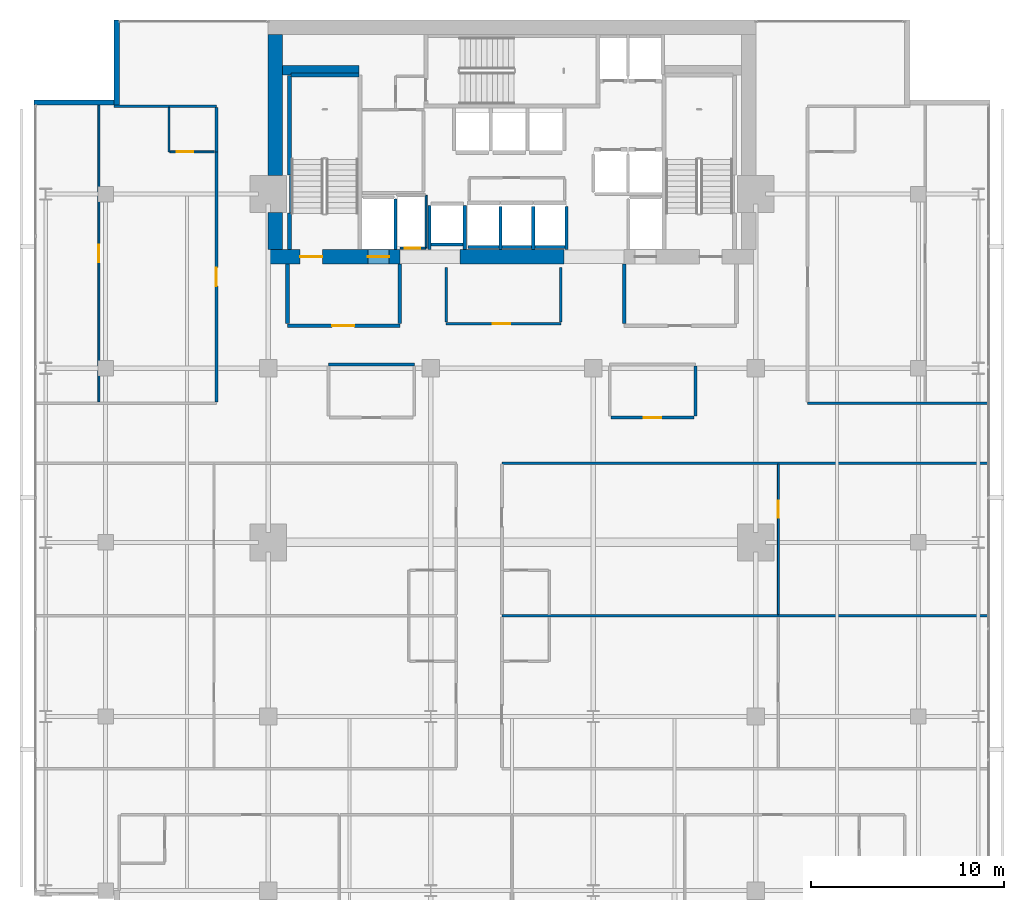
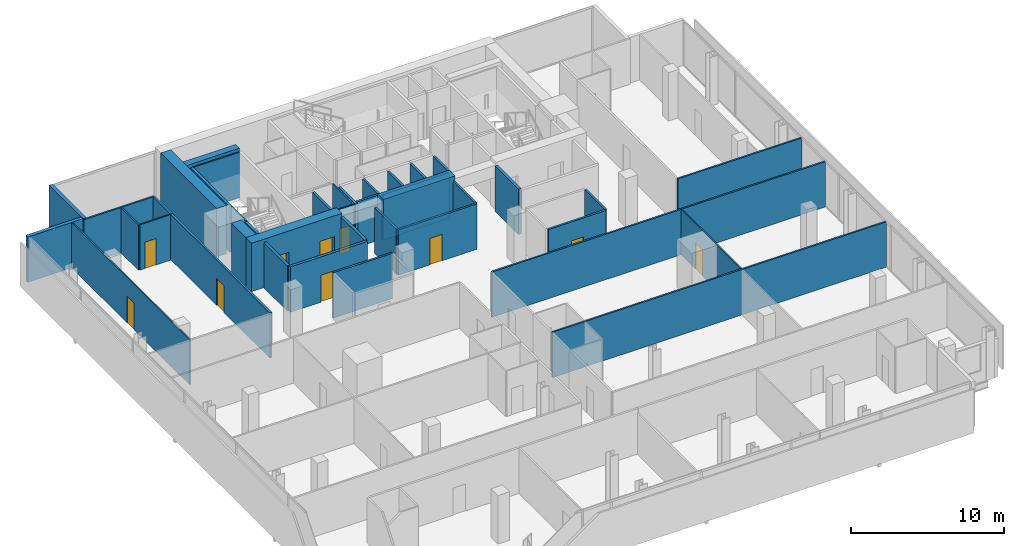
# One storey, part 28 of 32: 41 walls, 10 doors, 10 openings.
"""IFC4 building model written with IfcOpenShell, lengths in metres."""

import ifcopenshell
import ifcopenshell.guid

model = None  # the IFC model being written
_history = None  # IfcOwnerHistory: only IFC2X3 demands one
_inside = {}  # id of a spatial element -> (the spatial element, [elements in it])
_under = {}  # id of a project, library or spatial element -> (it, [spatial elements below it])
_declared = {}  # id of a project -> (the project, [libraries it declares])
_typed = {}  # id of a type object -> (the type object, [elements of that type])
_made_of = {}  # id of a material, layer set ... -> (it, [elements and type objects made of it])


def new_model(schema):
    """Start an empty IFC model of exactly this schema.

    Asked for "IFC4X3", IfcOpenShell would pick the latest addendum, in which some entities
    have other attributes; the version numbers below select the first issue.
    IFC2X3 requires an IfcOwnerHistory on every rooted entity: one is made here for all.
    """
    global model, _history
    if schema == "IFC4X3":
        model = ifcopenshell.file(schema_version=(4, 3, 0, 0))
    else:
        model = ifcopenshell.file(schema=schema)
    _inside.clear()
    _under.clear()
    _declared.clear()
    _typed.clear()
    _made_of.clear()
    _history = None
    if model.schema == "IFC2X3":
        org = make("IfcOrganization", Name="unknown")
        user = make(
            "IfcPersonAndOrganization",
            ThePerson=make("IfcPerson", FamilyName="unknown"),
            TheOrganization=org,
        )
        app = make(
            "IfcApplication",
            ApplicationDeveloper=org,
            Version="unknown",
            ApplicationFullName="unknown",
            ApplicationIdentifier="unknown",
        )
        _history = make(
            "IfcOwnerHistory",
            OwningUser=user,
            OwningApplication=app,
            ChangeAction="ADDED",
            CreationDate=0,
        )
    return model


def make(cls, **values):
    """One entity of the class cls with the attributes given. An attribute that is None is left unset."""
    return model.create_entity(
        cls, **{name: value for name, value in values.items() if value is not None}
    )


def rooted(cls, **values):
    """An entity with a GlobalId (a new one), such as an element, a storey or a relation."""
    return make(cls, GlobalId=ifcopenshell.guid.new(), OwnerHistory=_history, **values)


def si_unit(unit_type, name, prefix=None):
    """IfcSIUnit, for example si_unit("LENGTHUNIT", "METRE", prefix="MILLI")."""
    return make("IfcSIUnit", UnitType=unit_type, Prefix=prefix, Name=name)


def assignment(units):
    """IfcUnitAssignment: the units of a project."""
    return None if units is None else make("IfcUnitAssignment", Units=units)


def point(xyz):
    """IfcCartesianPoint."""
    return None if xyz is None else make("IfcCartesianPoint", Coordinates=xyz)


def direction(xyz):
    """IfcDirection."""
    return None if xyz is None else make("IfcDirection", DirectionRatios=xyz)


def frame(location, z_axis=None, x_axis=None):
    """IfcAxis2Placement3D, a coordinate frame: its origin and axes. An axis left out is left unset."""
    return make(
        "IfcAxis2Placement3D",
        Location=point(location),
        Axis=direction(z_axis),
        RefDirection=direction(x_axis),
    )


def frame_2d(location, x_axis=None):
    """IfcAxis2Placement2D, a coordinate frame in the plane: its origin and x axis."""
    return make(
        "IfcAxis2Placement2D", Location=point(location), RefDirection=direction(x_axis)
    )


def origin():
    """The frame at (0, 0, 0) with its axes left unset."""
    return frame((0.0, 0.0, 0.0))


def place(relative_to, where):
    """IfcLocalPlacement: puts the frame where relative to a parent placement (None: the world)."""
    return make(
        "IfcLocalPlacement", PlacementRelTo=relative_to, RelativePlacement=where
    )


def context(
    kind, dimensions, precision=None, world=None, true_north=None, identifier=None
):
    """IfcGeometricRepresentationContext, for example the 3D "Model" context."""
    return make(
        "IfcGeometricRepresentationContext",
        ContextIdentifier=identifier,
        ContextType=kind,
        CoordinateSpaceDimension=dimensions,
        Precision=precision,
        WorldCoordinateSystem=world,
        TrueNorth=true_north,
    )


def subcontext(parent, identifier, kind, view, scale=None):
    """IfcGeometricRepresentationSubContext, for example "Body" below "Model"."""
    return make(
        "IfcGeometricRepresentationSubContext",
        ContextIdentifier=identifier,
        ContextType=kind,
        ParentContext=parent,
        TargetScale=scale,
        TargetView=view,
    )


def project(units=None, contexts=None):
    """IfcProject with its units and contexts."""
    return rooted(
        "IfcProject",
        Name="project",
        RepresentationContexts=contexts,
        UnitsInContext=assignment(units),
    )


def spatial(cls, under=None, at=None, **own):
    """A site, building, storey or space (cls), placed at a placement, below another one or the project."""
    s = rooted(cls, ObjectPlacement=at, **own)
    if under is not None:
        _under.setdefault(under.id(), (under, []))[1].append(s)
    return s


def profile(cls, at=None, kind="AREA", **sizes):
    """A parametric profile (cls). Its sizes go by their IFC names, for example OverallWidth=200.0."""
    return make(cls, ProfileType=kind, Position=at, **sizes)


def rectangle(**sizes):
    """IfcRectangleProfileDef."""
    return profile("IfcRectangleProfileDef", **sizes)


def extrude(swept, where, along, depth):
    """IfcExtrudedAreaSolid: the profile swept, set in the frame where, extruded along a direction by depth."""
    return make(
        "IfcExtrudedAreaSolid",
        SweptArea=swept,
        Position=where,
        ExtrudedDirection=direction(along),
        Depth=depth,
    )


def shape(context_of_items, identifier, shape_type, items):
    """IfcShapeRepresentation: the items that make up one representation, for example the "Body"."""
    return make(
        "IfcShapeRepresentation",
        ContextOfItems=context_of_items,
        RepresentationIdentifier=identifier,
        RepresentationType=shape_type,
        Items=items,
    )


def material(Name=None, Category=None):
    """IfcMaterial."""
    return make("IfcMaterial", Name=Name, Category=Category)


def layer(
    of_material, thickness, ventilated=None, Name=None, Category=None, Priority=None
):
    """IfcMaterialLayer: one layer of a wall or slab, of a material (None: an air gap)."""
    return make(
        "IfcMaterialLayer",
        Material=of_material,
        LayerThickness=thickness,
        IsVentilated=ventilated,
        Name=Name,
        Category=Category,
        Priority=Priority,
    )


def layer_set(layers, Name=None):
    """IfcMaterialLayerSet."""
    return make("IfcMaterialLayerSet", MaterialLayers=layers, LayerSetName=Name)


def made_of(thing, what):
    """Note that an element or type object is made of a material, layer set ...; save() writes the relation."""
    if what is not None:
        _made_of.setdefault(what.id(), (what, []))[1].append(thing)
    return thing


def type_object(cls, material=None, **own):
    """A type object (cls), such as IfcWallType, which elements share."""
    return made_of(rooted(cls, **own), material)


def element(
    cls,
    number,
    at=None,
    inside=None,
    cuts=None,
    type_object=None,
    material=None,
    context=None,
    identifier="Body",
    shape_type=None,
    held_by="IfcProductDefinitionShape",
    body=None,
    shapes=None,
    **own,
):
    """One element of the class cls, such as IfcWall. Its Tag is "e" and its number.

    at: its placement. inside: the storey or other place that contains it. cuts: it is an
    opening in that element (IfcRelVoidsElement). A single representation is given by context,
    identifier, shape_type and body (its items); several are given by shapes. held_by: the class
    of the entity that holds the representations. save() writes the other relations.
    """
    e = rooted(cls, Tag="e%d" % number, ObjectPlacement=at, **own)
    if body is not None:
        shapes = [shape(context, identifier, shape_type, body)]
    if shapes is not None:
        e.Representation = make(held_by, Representations=shapes)
    if inside is not None:
        _inside.setdefault(inside.id(), (inside, []))[1].append(e)
    if cuts is not None:
        rooted(
            "IfcRelVoidsElement", RelatingBuildingElement=cuts, RelatedOpeningElement=e
        )
    if type_object is not None:
        _typed.setdefault(type_object.id(), (type_object, []))[1].append(e)
    return made_of(e, material)


def fill(opening, filler):
    """IfcRelFillsElement: the door or window that sits in an opening."""
    return rooted(
        "IfcRelFillsElement",
        RelatingOpeningElement=opening,
        RelatedBuildingElement=filler,
    )


def aggregate(whole, parts):
    """IfcRelAggregates: a whole, such as a stair, and the parts it consists of."""
    return rooted("IfcRelAggregates", RelatingObject=whole, RelatedObjects=parts)


def save(model, path):
    """Write the relations noted so far, then the file.

    IfcRelAggregates (storeys below a building ...), IfcRelContainedInSpatialStructure (elements
    in a storey), IfcRelDefinesByType, IfcRelAssociatesMaterial and IfcRelDeclares: one each for
    every whole, place, type object, material and project.
    """
    for whole, parts in _under.values():
        aggregate(whole, parts)
    for where, things in _inside.values():
        rooted(
            "IfcRelContainedInSpatialStructure",
            RelatedElements=things,
            RelatingStructure=where,
        )
    for kind, things in _typed.values():
        rooted("IfcRelDefinesByType", RelatedObjects=things, RelatingType=kind)
    for what, things in _made_of.values():
        rooted("IfcRelAssociatesMaterial", RelatedObjects=things, RelatingMaterial=what)
    for by, libraries in _declared.values():
        rooted("IfcRelDeclares", RelatingContext=by, RelatedDefinitions=libraries)
    model.write(path)


model = new_model("IFC4")

# Units and contexts
model_context = context("Model", 3, precision=1e-05, world=origin(), true_north=direction((0.0, 1.0)))
body_context = subcontext(model_context, "Body", "Model", "MODEL_VIEW")
ifc_project = project(units=[si_unit("LENGTHUNIT", "METRE"), si_unit("AREAUNIT", "SQUARE_METRE"), si_unit("VOLUMEUNIT", "CUBIC_METRE"), si_unit("PLANEANGLEUNIT", "RADIAN"), si_unit("MASSUNIT", "GRAM", prefix="KILO")], contexts=[model_context])

# Site, building, storey
site_placement = place(None, origin())
site = spatial("IfcSite", under=ifc_project, at=site_placement, CompositionType="ELEMENT")
building_placement = place(site_placement, origin())
building = spatial("IfcBuilding", under=site, at=building_placement, Name="Maruvema Waterfront Hotel and Observation Tower", CompositionType="ELEMENT")
storey_placement = place(building_placement, frame((0.0, 0.0, 219.800048828125)))
storey = spatial("IfcBuildingStorey", under=building, at=storey_placement, Name="L54", CompositionType="ELEMENT", Elevation=219.800048828125)

# Wall, opening, door
ifc_material_1 = material(Name="Twin-stud acoustic gypsum drywall", Category="gypsum")
ifc_layer_1 = layer(ifc_material_1, 0.14990234375, Name="Acoustic Corridor and Suite Demising Wall 150 mm")
ifc_layer_set_1 = layer_set([ifc_layer_1], Name="Twin-stud acoustic gypsum drywall")
wall_type_1 = type_object("IfcWallType", Name="Acoustic Corridor and Suite Demising Wall 150 mm", PredefinedType="PARTITIONING", material=ifc_layer_set_1)
wall_1_placement = place(storey_placement, frame((34.39990234375, 38.300048828125, 0.0), z_axis=(0.0, 0.0, 1.0), x_axis=(1.0, 0.0, 0.0)))
wall_1 = element("IfcWall", 1, at=wall_1_placement, inside=storey, type_object=wall_type_1, Name="L54 Core Apron K0 South 018", PredefinedType="PARTITIONING", context=body_context, shape_type="SweptSolid", body=[
    extrude(rectangle(XDim=5.920166015625, YDim=0.14990234375, at=frame_2d((2.9599609375, 0.0))), origin(), (0.0, 0.0, 1.0), 3.60986328125),
])
opening_1_placement = place(wall_1_placement, frame((2.39990234375, 0.0, 0.0)))
opening_1 = element("IfcOpeningElement", 2, at=opening_1_placement, cuts=wall_1, Name="Opening DR-090", PredefinedType="OPENING", context=body_context, shape_type="SweptSolid", body=[
    extrude(rectangle(XDim=0.89990234375, YDim=2.10009765625, at=frame_2d((0.449951171875, 1.050048828125))), frame((0.0, 0.0849609375, 0.0), z_axis=(0.0, -1.0, 0.0), x_axis=(1.0, 0.0, 0.0)), (0.0, 0.0, 1.0), 0.169921875),
])
ifc_material_2 = material(Name="Solid-core lacquered timber leaf", Category="wood")
door_type_1 = type_object("IfcDoorType", Name="Accessible Toilet and Room Door 900x2100 mm", OperationType="NOTDEFINED", PredefinedType="DOOR", material=ifc_material_2)
door_1_placement = place(opening_1_placement, frame((0.89990234375, 0.0, 0.0), z_axis=(0.0, 0.0, 1.0), x_axis=(-1.0, 0.0, 0.0)))
door_1 = element("IfcDoor", 3, at=door_1_placement, inside=storey, type_object=door_type_1, Name="L54 Core Valet Room Door", OperationType="SINGLE_SWING_LEFT", OverallHeight=2.10009765625, OverallWidth=0.89990234375, PredefinedType="DOOR", context=body_context, shape_type="SweptSolid", body=[
    extrude(rectangle(XDim=0.89990234375, YDim=2.10009765625, at=frame_2d((0.449951171875, 1.050048828125))), frame((0.0, 0.02490234375, 0.0), z_axis=(0.0, -1.0, 0.0), x_axis=(1.0, 0.0, 0.0)), (0.0, 0.0, 1.0), 0.050048828125),
])
fill(opening_1, door_1)

# Walls
for number, where, z_axis, x_axis, name in (
    (4, (34.39990234375, 38.3798828125, 0.0), (0.0, 0.0, 1.0), (0.0, 1.0, 0.0), "L54 Core Apron K0 West 019"),
    (5, (40.320068359375, 38.3798828125, 0.0), (0.0, 0.0, 1.0), (0.0, 1.0, 0.0), "L54 Core Apron K0 East 020"),
):
    element("IfcWall", number, at=place(storey_placement, frame(where, z_axis=z_axis, x_axis=x_axis)), inside=storey, type_object=wall_type_1, Name=name, PredefinedType="PARTITIONING", context=body_context, shape_type="SweptSolid", body=[
        extrude(rectangle(XDim=2.840087890625, YDim=0.14990234375, at=frame_2d((1.419921875, 0.0))), origin(), (0.0, 0.0, 1.0), 3.60986328125),
    ])
wall_2_placement = place(storey_placement, frame((28.320068359375, 36.199951171875, 0.0), z_axis=(0.0, 0.0, 1.0), x_axis=(1.0, 0.0, 0.0)))
element("IfcWall", 6, at=wall_2_placement, inside=storey, type_object=wall_type_1, Name="L54 L54-M1 Back Wall 021", PredefinedType="PARTITIONING", context=body_context, shape_type="SweptSolid", body=[
    extrude(rectangle(XDim=4.429931640625, YDim=0.14990234375, at=frame_2d((2.21484375, 0.0))), origin(), (0.0, 0.0, 1.0), 3.60986328125),
])
wall_3_placement = place(storey_placement, frame((47.280029296875, 33.530029296875, 0.0), z_axis=(0.0, 0.0, 1.0), x_axis=(0.0, 1.0, 0.0)))
element("IfcWall", 7, at=wall_3_placement, inside=storey, type_object=wall_type_1, Name="L54 L54-M2 East Wall 027", PredefinedType="PARTITIONING", context=body_context, shape_type="SweptSolid", body=[
    extrude(rectangle(XDim=2.590087890625, YDim=0.14990234375, at=frame_2d((1.294921875, 0.0))), origin(), (0.0, 0.0, 1.0), 3.60986328125),
])

# Wall, opening, door
wall_4_placement = place(storey_placement, frame((42.909912109375, 33.449951171875, 0.0), z_axis=(0.0, 0.0, 1.0), x_axis=(1.0, 0.0, 0.0)))
wall_4 = element("IfcWall", 8, at=wall_4_placement, inside=storey, type_object=wall_type_1, Name="L54 L54-M2 Front 1 028", PredefinedType="PARTITIONING", context=body_context, shape_type="SweptSolid", body=[
    extrude(rectangle(XDim=4.31005859375, YDim=0.14990234375, at=frame_2d((2.155029296875, 0.0))), origin(), (0.0, 0.0, 1.0), 3.60986328125),
])
opening_2_placement = place(wall_4_placement, frame((1.705078125, 0.0, 0.0)))
opening_2 = element("IfcOpeningElement", 9, at=opening_2_placement, cuts=wall_4, Name="Opening DR-090", PredefinedType="OPENING", context=body_context, shape_type="SweptSolid", body=[
    extrude(rectangle(XDim=0.89990234375, YDim=2.10009765625, at=frame_2d((0.449951171875, 1.050048828125))), frame((0.0, 0.0849609375, 0.0), z_axis=(0.0, -1.0, 0.0), x_axis=(1.0, 0.0, 0.0)), (0.0, 0.0, 1.0), 0.169921875),
])
door_2_placement = place(opening_2_placement, frame((0.89990234375, 0.0, 0.0), z_axis=(0.0, 0.0, 1.0), x_axis=(-1.0, 0.0, 0.0)))
door_2 = element("IfcDoor", 10, at=door_2_placement, inside=storey, type_object=door_type_1, Name="L54 Ambassador Lounge 3 Door", OperationType="SINGLE_SWING_LEFT", OverallHeight=2.10009765625, OverallWidth=0.89990234375, PredefinedType="DOOR", context=body_context, shape_type="SweptSolid", body=[
    extrude(rectangle(XDim=0.89990234375, YDim=2.10009765625, at=frame_2d((0.449951171875, 1.050048828125))), frame((0.0, 0.02490234375, 0.0), z_axis=(0.0, -1.0, 0.0), x_axis=(1.0, 0.0, 0.0)), (0.0, 0.0, 1.0), 0.050048828125),
])
fill(opening_2, door_2)

wall_5_placement = place(storey_placement, frame((22.52001953125, 34.260009765625, 0.0), z_axis=(0.0, 0.0, 1.0), x_axis=(0.0, 1.0, 0.0)))
wall_5 = element("IfcWall", 11, at=wall_5_placement, inside=storey, type_object=wall_type_1, Name="L54 Room L54-NW1 Corridor Wall 074", PredefinedType="PARTITIONING", context=body_context, shape_type="SweptSolid", body=[
    extrude(rectangle(XDim=12.927490234375, YDim=0.14990234375, at=frame_2d((6.4638671875, 0.0))), origin(), (0.0, 0.0, 1.0), 3.60986328125),
])
opening_3_placement = place(wall_5_placement, frame((5.98876953125, 0.0, 0.0)))
opening_3 = element("IfcOpeningElement", 12, at=opening_3_placement, cuts=wall_5, Name="Opening DR-095", PredefinedType="OPENING", context=body_context, shape_type="SweptSolid", body=[
    extrude(rectangle(XDim=0.949951171875, YDim=2.14990234375, at=frame_2d((0.47509765625, 1.074951171875))), frame((0.0, 0.0849609375, 0.0), z_axis=(0.0, -1.0, 0.0), x_axis=(1.0, 0.0, 0.0)), (0.0, 0.0, 1.0), 0.169921875),
])
ifc_material_3 = material(Name="Acoustic solid-core hardwood timber leaf", Category="wood")
door_type_2 = type_object("IfcDoorType", Name="Guestroom Entrance Fire Door 950x2150 mm", OperationType="NOTDEFINED", PredefinedType="DOOR", material=ifc_material_3)
door_3_placement = place(opening_3_placement, origin())
door_3 = element("IfcDoor", 13, at=door_3_placement, inside=storey, type_object=door_type_2, Name="L54 Room L54-NW1 Entrance Door", OperationType="SINGLE_SWING_LEFT", OverallHeight=2.14990234375, OverallWidth=0.949951171875, PredefinedType="DOOR", context=body_context, shape_type="SweptSolid", body=[
    extrude(rectangle(XDim=0.949951171875, YDim=2.14990234375, at=frame_2d((0.47509765625, 1.074951171875))), frame((0.0, 0.02490234375, 0.0), z_axis=(0.0, -1.0, 0.0), x_axis=(1.0, 0.0, 0.0)), (0.0, 0.0, 1.0), 0.050048828125),
])
fill(opening_3, door_3)

# Walls
wall_6_placement = place(storey_placement, frame((22.52001953125, 47.1875, 0.0), z_axis=(0.0, 0.0, 1.0), x_axis=(0.0, 1.0, 0.0)))
element("IfcWall", 14, at=wall_6_placement, inside=storey, type_object=wall_type_1, Name="L54 Bath L54-NW1 Wall 075", PredefinedType="PARTITIONING", context=body_context, shape_type="SweptSolid", body=[
    extrude(rectangle(XDim=2.2900390625, YDim=0.14990234375, at=frame_2d((1.14501953125, 0.0))), origin(), (0.0, 0.0, 1.0), 3.60986328125),
])
ifc_material_4 = material(Name="Precast concrete C45/55", Category="concrete")
ifc_layer_2 = layer(ifc_material_4, 0.199951171875, Name="Core Shaft and Stairwell Enclosure Wall 200 mm")
ifc_layer_set_2 = layer_set([ifc_layer_2], Name="Precast concrete C45/55")
wall_type_2 = type_object("IfcWallType", Name="Core Shaft and Stairwell Enclosure Wall 200 mm", PredefinedType="SOLIDWALL", material=ifc_layer_set_2)
wall_7_placement = place(storey_placement, frame((26.300048828125, 42.14990234375, 0.0), z_axis=(0.0, 0.0, 1.0), x_axis=(0.0, 1.0, 0.0)))
element("IfcWall", 15, at=wall_7_placement, inside=storey, type_object=wall_type_2, Name="L54 Stairwell ST-01 Shaft Lining Wall", PredefinedType="SOLIDWALL", context=body_context, shape_type="SweptSolid", body=[
    extrude(rectangle(XDim=1.8701171875, YDim=0.199951171875, at=frame_2d((0.93505859375, 0.0))), origin(), (0.0, 0.0, 1.0), 3.60986328125),
])
wall_8_placement = place(storey_placement, frame((26.300048828125, 45.97998046875, 0.0), z_axis=(0.0, 0.0, 1.0), x_axis=(0.0, 1.0, 0.0)))
element("IfcWall", 16, at=wall_8_placement, inside=storey, type_object=wall_type_2, Name="L54 Stairwell ST-01 Shaft Lining Wall", PredefinedType="SOLIDWALL", context=body_context, shape_type="SweptSolid", body=[
    extrude(rectangle(XDim=5.14013671875, YDim=0.199951171875, at=frame_2d((2.570068359375, 0.0))), origin(), (0.0, 0.0, 1.0), 3.60986328125),
])
wall_9_placement = place(storey_placement, frame((26.3798828125, 51.14990234375, 0.0), z_axis=(0.0, 0.0, 1.0), x_axis=(1.0, 0.0, 0.0)))
element("IfcWall", 17, at=wall_9_placement, inside=storey, type_object=wall_type_2, Name="L54 Stairwell ST-01 Shaft Lining Wall", PredefinedType="SOLIDWALL", context=body_context, shape_type="SweptSolid", body=[
    extrude(rectangle(XDim=3.5, YDim=0.199951171875, at=frame_2d((1.75, 0.0))), origin(), (0.0, 0.0, 1.0), 3.60986328125),
])
ifc_material_5 = material(Name="Concrete C70/85", Category="concrete")
ifc_layer_3 = layer(ifc_material_5, 0.5, Name="Core Shear Wall 500 mm")
ifc_layer_set_3 = layer_set([ifc_layer_3], Name="Concrete C70/85")
wall_type_3 = type_object("IfcWallType", Name="Core Shear Wall 500 mm", PredefinedType="SHEAR", material=ifc_layer_set_3)
wall_10_placement = place(storey_placement, frame((25.949951171875, 51.39990234375, 0.0), z_axis=(0.0, 0.0, 1.0), x_axis=(1.0, 0.0, 0.0)))
element("IfcWall", 18, at=wall_10_placement, inside=storey, type_object=wall_type_3, Name="L54 Internal Core Shear Wall NW 500 mm", PredefinedType="SHEAR", context=body_context, shape_type="SweptSolid", body=[
    extrude(rectangle(XDim=3.949951171875, YDim=0.5, at=frame_2d((1.97509765625, 0.0))), origin(), (0.0, 0.0, 1.0), 3.849853515625),
])

# Wall, openings, doors
ifc_material_6 = material(Name="Concrete C70/85", Category="concrete")
ifc_layer_4 = layer(ifc_material_6, 0.75, Name="Core Shear Wall 750 mm")
ifc_layer_set_4 = layer_set([ifc_layer_4], Name="Concrete C70/85")
wall_type_4 = type_object("IfcWallType", Name="Core Shear Wall 750 mm", PredefinedType="SHEAR", material=ifc_layer_set_4)
wall_11_placement = place(storey_placement, frame((25.199951171875, 41.77490234375, 0.0), z_axis=(0.0, 0.0, 1.0), x_axis=(1.0, 0.0, 0.0)))
wall_11 = element("IfcWall", 19, at=wall_11_placement, inside=storey, type_object=wall_type_4, Name="L54 South-West Core Shear Wall", PredefinedType="SHEAR", context=body_context, shape_type="SweptSolid", body=[
    extrude(rectangle(XDim=6.800048828125, YDim=0.75, at=frame_2d((3.39990234375, 0.0))), origin(), (0.0, 0.0, 1.0), 3.849853515625),
])
opening_4_placement = place(wall_11_placement, frame((1.64990234375, 0.0, 0.0)))
opening_4 = element("IfcOpeningElement", 20, at=opening_4_placement, cuts=wall_11, Name="Opening SD-01", PredefinedType="OPENING", context=body_context, shape_type="SweptSolid", body=[
    extrude(rectangle(XDim=1.14990234375, YDim=2.14990234375, at=frame_2d((0.574951171875, 1.074951171875))), frame((0.0, 0.385009765625, 0.0), z_axis=(0.0, -1.0, 0.0), x_axis=(1.0, 0.0, 0.0)), (0.0, 0.0, 1.0), 0.77001953125),
])
opening_5_placement = place(wall_11_placement, frame((5.14990234375, 0.0, 0.0)))
opening_5 = element("IfcOpeningElement", 21, at=opening_5_placement, cuts=wall_11, Name="Opening LD-03", PredefinedType="OPENING", context=body_context, shape_type="SweptSolid", body=[
    extrude(rectangle(XDim=1.10009765625, YDim=2.199951171875, at=frame_2d((0.550048828125, 1.10009765625))), frame((0.0, 0.385009765625, 0.0), z_axis=(0.0, -1.0, 0.0), x_axis=(1.0, 0.0, 0.0)), (0.0, 0.0, 1.0), 0.77001953125),
])
ifc_material_7 = material(Name="Fire-rated galvanised steel leaf", Category="steel")
door_type_3 = type_object("IfcDoorType", Name="Exit Stair Fire Door 1150x2150 mm", OperationType="NOTDEFINED", PredefinedType="DOOR", material=ifc_material_7)
door_4_placement = place(opening_4_placement, origin())
door_4 = element("IfcDoor", 22, at=door_4_placement, inside=storey, type_object=door_type_3, Name="L54 Exit Stair ST-01 Fire Door", OperationType="SINGLE_SWING_LEFT", OverallHeight=2.14990234375, OverallWidth=1.14990234375, PredefinedType="DOOR", context=body_context, shape_type="SweptSolid", body=[
    extrude(rectangle(XDim=1.14990234375, YDim=2.14990234375, at=frame_2d((0.574951171875, 1.074951171875))), frame((0.0, 0.02490234375, 0.0), z_axis=(0.0, -1.0, 0.0), x_axis=(1.0, 0.0, 0.0)), (0.0, 0.0, 1.0), 0.050048828125),
])
fill(opening_4, door_4)
ifc_material_8 = material(Name="Brushed stainless steel Grade 316", Category="steel")
door_type_4 = type_object("IfcDoorType", Name="Firefighting Lift Sliding Landing Door 1100x2200 mm", OperationType="SLIDING_TO_LEFT", PredefinedType="DOOR", material=ifc_material_8)
door_5_placement = place(opening_5_placement, frame((1.10009765625, 0.0, 0.0), z_axis=(0.0, 0.0, 1.0), x_axis=(-1.0, 0.0, 0.0)))
door_5 = element("IfcDoor", 23, at=door_5_placement, inside=storey, type_object=door_type_4, Name="L54 Firefighting Lift FL-01 Landing Door", OperationType="SLIDING_TO_LEFT", OverallHeight=2.199951171875, OverallWidth=1.10009765625, PredefinedType="DOOR", context=body_context, shape_type="SweptSolid", body=[
    extrude(rectangle(XDim=1.10009765625, YDim=2.199951171875, at=frame_2d((0.550048828125, 1.10009765625))), frame((0.0, 0.02490234375, 0.0), z_axis=(0.0, -1.0, 0.0), x_axis=(1.0, 0.0, 0.0)), (0.0, 0.0, 1.0), 0.050048828125),
])
fill(opening_5, door_5)

# Walls
wall_12_placement = place(storey_placement, frame((35.10009765625, 41.77490234375, 0.0), z_axis=(0.0, 0.0, 1.0), x_axis=(1.0, 0.0, 0.0)))
element("IfcWall", 24, at=wall_12_placement, inside=storey, type_object=wall_type_4, Name="L54 South-Central Core Shear Wall", PredefinedType="SHEAR", context=body_context, shape_type="SweptSolid", body=[
    extrude(rectangle(XDim=5.39990234375, YDim=0.75, at=frame_2d((2.699951171875, 0.0))), origin(), (0.0, 0.0, 1.0), 3.849853515625),
])
wall_13_placement = place(storey_placement, frame((25.574951171875, 42.14990234375, 0.0), z_axis=(0.0, 0.0, 1.0), x_axis=(0.0, 1.0, 0.0)))
element("IfcWall", 25, at=wall_13_placement, inside=storey, type_object=wall_type_4, Name="L54 West-South Core Shear Wall", PredefinedType="SHEAR", context=body_context, shape_type="SweptSolid", body=[
    extrude(rectangle(XDim=1.900146484375, YDim=0.75, at=frame_2d((0.9501953125, 0.0))), origin(), (0.0, 0.0, 1.0), 3.849853515625),
])
wall_14_placement = place(storey_placement, frame((25.574951171875, 45.949951171875, 0.0), z_axis=(0.0, 0.0, 1.0), x_axis=(0.0, 1.0, 0.0)))
element("IfcWall", 26, at=wall_14_placement, inside=storey, type_object=wall_type_4, Name="L54 West-North Core Shear Wall", PredefinedType="SHEAR", context=body_context, shape_type="SweptSolid", body=[
    extrude(rectangle(XDim=7.300048828125, YDim=0.75, at=frame_2d((3.64990234375, 0.0))), origin(), (0.0, 0.0, 1.0), 3.849853515625),
])

# Wall, opening, door
ifc_material_9 = material(Name="Moisture-resistant cement-board drywall", Category="gypsum")
ifc_layer_5 = layer(ifc_material_9, 0.10009765625, Name="En-Suite Moisture-Resistant Partition 100 mm")
ifc_layer_set_5 = layer_set([ifc_layer_5], Name="Moisture-resistant cement-board drywall")
wall_type_5 = type_object("IfcWallType", Name="En-Suite Moisture-Resistant Partition 100 mm", PredefinedType="PARTITIONING", material=ifc_layer_set_5)
wall_15_placement = place(storey_placement, frame((32.02001953125, 42.2099609375, 0.0), z_axis=(0.0, 0.0, 1.0), x_axis=(1.0, 0.0, 0.0)))
wall_15 = element("IfcWall", 27, at=wall_15_placement, inside=storey, type_object=wall_type_5, Name="L54 Telecom Riser South Wall 007", PredefinedType="PARTITIONING", context=body_context, shape_type="SweptSolid", body=[
    extrude(rectangle(XDim=1.320068359375, YDim=0.10009765625, at=frame_2d((0.66015625, 0.0))), origin(), (0.0, 0.0, 1.0), 3.60986328125),
])
opening_6_placement = place(wall_15_placement, frame((0.239990234375, 0.0, 0.0)))
opening_6 = element("IfcOpeningElement", 28, at=opening_6_placement, cuts=wall_15, Name="Opening DR-080", PredefinedType="OPENING", context=body_context, shape_type="SweptSolid", body=[
    extrude(rectangle(XDim=0.800048828125, YDim=2.050048828125, at=frame_2d((0.39990234375, 1.02490234375))), frame((0.0, 0.06005859375, 0.0), z_axis=(0.0, -1.0, 0.0), x_axis=(1.0, 0.0, 0.0)), (0.0, 0.0, 1.0), 0.1201171875),
])
ifc_material_10 = material(Name="Powder-coated steel access leaf", Category="steel")
door_type_5 = type_object("IfcDoorType", Name="Riser and Service Cupboard Door 800x2050 mm", OperationType="NOTDEFINED", PredefinedType="DOOR", material=ifc_material_10)
door_6_placement = place(opening_6_placement, frame((0.800048828125, 0.0, 0.0), z_axis=(0.0, 0.0, 1.0), x_axis=(-1.0, 0.0, 0.0)))
door_6 = element("IfcDoor", 29, at=door_6_placement, inside=storey, type_object=door_type_5, Name="L54 Telecom Riser Door", OperationType="SINGLE_SWING_LEFT", OverallHeight=2.050048828125, OverallWidth=0.800048828125, PredefinedType="DOOR", context=body_context, shape_type="SweptSolid", body=[
    extrude(rectangle(XDim=0.800048828125, YDim=2.050048828125, at=frame_2d((0.39990234375, 1.02490234375))), frame((0.0, 0.02490234375, 0.0), z_axis=(0.0, -1.0, 0.0), x_axis=(1.0, 0.0, 0.0)), (0.0, 0.0, 1.0), 0.050048828125),
])
fill(opening_6, door_6)

# Wall
wall_16_placement = place(storey_placement, frame((33.360107421875, 42.2099609375, 0.0), z_axis=(0.0, 0.0, 1.0), x_axis=(0.0, 1.0, 0.0)))
element("IfcWall", 30, at=wall_16_placement, inside=storey, type_object=wall_type_5, Name="L54 Telecom Riser East Wall 009", PredefinedType="PARTITIONING", context=body_context, shape_type="SweptSolid", body=[
    extrude(rectangle(XDim=2.72998046875, YDim=0.10009765625, at=frame_2d((1.364990234375, 0.0))), origin(), (0.0, 0.0, 1.0), 3.60986328125),
])

# Wall, opening, door
wall_17_placement = place(storey_placement, frame((51.5703125, 23.260009765625, 0.0), z_axis=(0.0, 0.0, 1.0), x_axis=(0.0, 1.0, 0.0)))
wall_17 = element("IfcWall", 31, at=wall_17_placement, inside=storey, type_object=wall_type_5, Name="L54 Suite L54-E2 Split 069", PredefinedType="PARTITIONING", context=body_context, shape_type="SweptSolid", body=[
    extrude(rectangle(XDim=7.780029296875, YDim=0.10009765625, at=frame_2d((3.89013671875, 0.0))), origin(), (0.0, 0.0, 1.0), 3.60986328125),
])
opening_7_placement = place(wall_17_placement, frame((5.0, 0.0, 0.0)))
opening_7 = element("IfcOpeningElement", 32, at=opening_7_placement, cuts=wall_17, Name="Opening DR-090", PredefinedType="OPENING", context=body_context, shape_type="SweptSolid", body=[
    extrude(rectangle(XDim=0.89990234375, YDim=2.10009765625, at=frame_2d((0.449951171875, 1.050048828125))), frame((0.0, 0.06005859375, 0.0), z_axis=(0.0, -1.0, 0.0), x_axis=(1.0, 0.0, 0.0)), (0.0, 0.0, 1.0), 0.1201171875),
])
door_7_placement = place(opening_7_placement, frame((0.89990234375, 0.0, 0.0), z_axis=(0.0, 0.0, 1.0), x_axis=(-1.0, 0.0, 0.0)))
door_7 = element("IfcDoor", 33, at=door_7_placement, inside=storey, type_object=door_type_1, Name="L54 Suite L54-E2 Bedroom Door", OperationType="SINGLE_SWING_LEFT", OverallHeight=2.10009765625, OverallWidth=0.89990234375, PredefinedType="DOOR", context=body_context, shape_type="SweptSolid", body=[
    extrude(rectangle(XDim=0.89990234375, YDim=2.10009765625, at=frame_2d((0.449951171875, 1.050048828125))), frame((0.0, 0.02490234375, 0.0), z_axis=(0.0, -1.0, 0.0), x_axis=(1.0, 0.0, 0.0)), (0.0, 0.0, 1.0), 0.050048828125),
])
fill(opening_7, door_7)

# Wall
wall_18_placement = place(storey_placement, frame((20.070068359375, 47.1875, 0.0), z_axis=(0.0, 0.0, 1.0), x_axis=(0.0, 1.0, 0.0)))
element("IfcWall", 34, at=wall_18_placement, inside=storey, type_object=wall_type_5, Name="L54 En-Suite L54-NW1 W 076", PredefinedType="PARTITIONING", context=body_context, shape_type="SweptSolid", body=[
    extrude(rectangle(XDim=2.2900390625, YDim=0.10009765625, at=frame_2d((1.14501953125, 0.0))), origin(), (0.0, 0.0, 1.0), 3.60986328125),
])

# Wall, opening, door
wall_19_placement = place(storey_placement, frame((20.1201171875, 47.1875, 0.0), z_axis=(0.0, 0.0, 1.0), x_axis=(1.0, 0.0, 0.0)))
wall_19 = element("IfcWall", 35, at=wall_19_placement, inside=storey, type_object=wall_type_5, Name="L54 En-Suite L54-NW1 S 077", PredefinedType="PARTITIONING", context=body_context, shape_type="SweptSolid", body=[
    extrude(rectangle(XDim=2.2998046875, YDim=0.10009765625, at=frame_2d((1.14990234375, 0.0))), origin(), (0.0, 0.0, 1.0), 3.60986328125),
])
opening_8_placement = place(wall_19_placement, frame((0.35009765625, 0.0, 0.0)))
opening_8 = element("IfcOpeningElement", 36, at=opening_8_placement, cuts=wall_19, Name="Opening DR-085", PredefinedType="OPENING", context=body_context, shape_type="SweptSolid", body=[
    extrude(rectangle(XDim=0.85009765625, YDim=2.10009765625, at=frame_2d((0.425048828125, 1.050048828125))), frame((0.0, 0.06005859375, 0.0), z_axis=(0.0, -1.0, 0.0), x_axis=(1.0, 0.0, 0.0)), (0.0, 0.0, 1.0), 0.1201171875),
])
ifc_material_11 = material(Name="Moisture-resistant solid timber leaf", Category="wood")
door_type_6 = type_object("IfcDoorType", Name="En-Suite Bathroom Door 850x2100 mm", OperationType="NOTDEFINED", PredefinedType="DOOR", material=ifc_material_11)
door_8_placement = place(opening_8_placement, frame((0.85009765625, 0.0, 0.0), z_axis=(0.0, 0.0, 1.0), x_axis=(-1.0, 0.0, 0.0)))
door_8 = element("IfcDoor", 37, at=door_8_placement, inside=storey, type_object=door_type_6, Name="L54 En-Suite L54-NW1 Door", OperationType="SINGLE_SWING_RIGHT", OverallHeight=2.10009765625, OverallWidth=0.85009765625, PredefinedType="DOOR", context=body_context, shape_type="SweptSolid", body=[
    extrude(rectangle(XDim=0.85009765625, YDim=2.10009765625, at=frame_2d((0.425048828125, 1.050048828125))), frame((0.0, 0.02490234375, 0.0), z_axis=(0.0, -1.0, 0.0), x_axis=(1.0, 0.0, 0.0)), (0.0, 0.0, 1.0), 0.050048828125),
])
fill(opening_8, door_8)

wall_20_placement = place(storey_placement, frame((16.445556640625, 34.260009765625, 0.0), z_axis=(0.0, 0.0, 1.0), x_axis=(0.0, 1.0, 0.0)))
wall_20 = element("IfcWall", 38, at=wall_20_placement, inside=storey, type_object=wall_type_5, Name="L54 Suite L54-NW1 Split 078", PredefinedType="PARTITIONING", context=body_context, shape_type="SweptSolid", body=[
    extrude(rectangle(XDim=15.33740234375, YDim=0.10009765625, at=frame_2d((7.668701171875, 0.0))), origin(), (0.0, 0.0, 1.0), 3.60986328125),
])
opening_9_placement = place(wall_20_placement, frame((7.21875, 0.0, 0.0)))
opening_9 = element("IfcOpeningElement", 39, at=opening_9_placement, cuts=wall_20, Name="Opening DR-090", PredefinedType="OPENING", context=body_context, shape_type="SweptSolid", body=[
    extrude(rectangle(XDim=0.89990234375, YDim=2.10009765625, at=frame_2d((0.449951171875, 1.050048828125))), frame((0.0, 0.06005859375, 0.0), z_axis=(0.0, -1.0, 0.0), x_axis=(1.0, 0.0, 0.0)), (0.0, 0.0, 1.0), 0.1201171875),
])
door_9_placement = place(opening_9_placement, origin())
door_9 = element("IfcDoor", 40, at=door_9_placement, inside=storey, type_object=door_type_1, Name="L54 Suite L54-NW1 Bedroom Door", OperationType="SINGLE_SWING_RIGHT", OverallHeight=2.10009765625, OverallWidth=0.89990234375, PredefinedType="DOOR", context=body_context, shape_type="SweptSolid", body=[
    extrude(rectangle(XDim=0.89990234375, YDim=2.10009765625, at=frame_2d((0.449951171875, 1.050048828125))), frame((0.0, 0.02490234375, 0.0), z_axis=(0.0, -1.0, 0.0), x_axis=(1.0, 0.0, 0.0)), (0.0, 0.0, 1.0), 0.050048828125),
])
fill(opening_9, door_9)

# Walls
ifc_material_12 = material(Name="Precast concrete C45/55 with honed Pernambuco granite facing", Category="masonry")
ifc_layer_6 = layer(ifc_material_12, 0.260009765625, Name="Exterior Granite Clad Spandrel and Pier Wall 260 mm")
ifc_layer_set_6 = layer_set([ifc_layer_6], Name="Precast concrete C45/55 with honed Pernambuco granite facing")
wall_type_6 = type_object("IfcWallType", Name="Exterior Granite Clad Spandrel and Pier Wall 260 mm", PredefinedType="SOLIDWALL", material=ifc_layer_set_6)
for number, where, z_axis, x_axis, name in (
    (41, (17.3701171875, 49.60009765625, 0.0), (0.0, 0.0, 1.0), (0.0, 1.0, 0.0), "L54 Corner Notch Granite Pier Wall NW1"),
    (42, (13.10009765625, 49.72998046875, 0.0), (0.0, 0.0, 1.0), (1.0, 0.0, 0.0), "L54 Corner Notch Granite Pier Wall NW2"),
):
    element("IfcWall", number, at=place(storey_placement, frame(where, z_axis=z_axis, x_axis=x_axis)), inside=storey, type_object=wall_type_6, Name=name, PredefinedType="SOLIDWALL", context=body_context, shape_type="SweptSolid", body=[
        extrude(rectangle(XDim=4.39990234375, YDim=0.260009765625, at=frame_2d((2.199951171875, 0.0))), origin(), (0.0, 0.0, 1.0), 3.60986328125),
    ])

# Wall, opening, door
ifc_material_13 = material(Name="Autoclaved cellular concrete blockwork", Category="masonry")
ifc_layer_7 = layer(ifc_material_13, 0.199951171875, Name="Fire Compartment Masonry Wall 200 mm")
ifc_layer_set_7 = layer_set([ifc_layer_7], Name="Autoclaved cellular concrete blockwork")
wall_type_7 = type_object("IfcWallType", Name="Fire Compartment Masonry Wall 200 mm", PredefinedType="PARTITIONING", material=ifc_layer_set_7)
wall_21_placement = place(storey_placement, frame((26.199951171875, 38.199951171875, 0.0), z_axis=(0.0, 0.0, 1.0), x_axis=(1.0, 0.0, 0.0)))
wall_21 = element("IfcWall", 43, at=wall_21_placement, inside=storey, type_object=wall_type_7, Name="L54 FFL West South Wall 001", PredefinedType="PARTITIONING", context=body_context, shape_type="SweptSolid", body=[
    extrude(rectangle(XDim=5.800048828125, YDim=0.199951171875, at=frame_2d((2.89990234375, 0.0))), origin(), (0.0, 0.0, 1.0), 3.60986328125),
])
opening_10_placement = place(wall_21_placement, frame((2.300048828125, 0.0, 0.0)))
opening_10 = element("IfcOpeningElement", 44, at=opening_10_placement, cuts=wall_21, Name="Opening FD-115", PredefinedType="OPENING", context=body_context, shape_type="SweptSolid", body=[
    extrude(rectangle(XDim=1.14990234375, YDim=2.14990234375, at=frame_2d((0.574951171875, 1.074951171875))), frame((0.0, 0.10986328125, 0.0), z_axis=(0.0, -1.0, 0.0), x_axis=(1.0, 0.0, 0.0)), (0.0, 0.0, 1.0), 0.219970703125),
])
ifc_material_14 = material(Name="Fire-rated galvanised steel and vision glass", Category="steel")
door_type_7 = type_object("IfcDoorType", Name="Firefighting Lobby Fire Door 1150x2150 mm", OperationType="NOTDEFINED", PredefinedType="DOOR", material=ifc_material_14)
door_10_placement = place(opening_10_placement, frame((1.14990234375, 0.0, 0.0), z_axis=(0.0, 0.0, 1.0), x_axis=(-1.0, 0.0, 0.0)))
door_10 = element("IfcDoor", 45, at=door_10_placement, inside=storey, type_object=door_type_7, Name="L54 Firefighting Lobby West Door", OperationType="SINGLE_SWING_LEFT", OverallHeight=2.14990234375, OverallWidth=1.14990234375, PredefinedType="DOOR", context=body_context, shape_type="SweptSolid", body=[
    extrude(rectangle(XDim=1.14990234375, YDim=2.14990234375, at=frame_2d((0.574951171875, 1.074951171875))), frame((0.0, 0.02490234375, 0.0), z_axis=(0.0, -1.0, 0.0), x_axis=(1.0, 0.0, 0.0)), (0.0, 0.0, 1.0), 0.050048828125),
])
fill(opening_10, door_10)

# Walls
for number, where, z_axis, x_axis, name in (
    (46, (26.199951171875, 38.31005859375, 0.0), (0.0, 0.0, 1.0), (0.0, 1.0, 0.0), "L54 FFL West West Wall 002"),
    (47, (32.0, 38.31005859375, 0.0), (0.0, 0.0, 1.0), (0.0, 1.0, 0.0), "L54 FFL West East Wall 003"),
    (48, (43.60009765625, 38.31005859375, 0.0), (0.0, 0.0, 1.0), (0.0, 1.0, 0.0), "L54 FFL East West Wall 005"),
):
    element("IfcWall", number, at=place(storey_placement, frame(where, z_axis=z_axis, x_axis=x_axis)), inside=storey, type_object=wall_type_7, Name=name, PredefinedType="PARTITIONING", context=body_context, shape_type="SweptSolid", body=[
        extrude(rectangle(XDim=3.06982421875, YDim=0.199951171875, at=frame_2d((1.534912109375, 0.0))), origin(), (0.0, 0.0, 1.0), 3.60986328125),
    ])
ifc_material_15 = material(Name="Acoustic gypsum plasterboard drywall", Category="gypsum")
ifc_layer_8 = layer(ifc_material_15, 0.125, Name="Guestroom Acoustic Demising Wall 125 mm")
ifc_layer_set_8 = layer_set([ifc_layer_8], Name="Acoustic gypsum plasterboard drywall")
wall_type_8 = type_object("IfcWallType", Name="Guestroom Acoustic Demising Wall 125 mm", PredefinedType="PARTITIONING", material=ifc_layer_set_8)
for number, where, z_axis, x_axis, name in (
    (49, (37.280029296875, 31.10009765625, 0.0), (0.0, 0.0, 1.0), (1.0, 0.0, 0.0), "L54 Z2 E Top End 047"),
    (50, (37.280029296875, 23.199951171875, 0.0), (0.0, 0.0, 1.0), (1.0, 0.0, 0.0), "L54 Z2 E Demising 2 059"),
):
    element("IfcWall", number, at=place(storey_placement, frame(where, z_axis=z_axis, x_axis=x_axis)), inside=storey, type_object=wall_type_8, Name=name, PredefinedType="PARTITIONING", context=body_context, shape_type="SweptSolid", body=[
        extrude(rectangle(XDim=25.119873046875, YDim=0.125, at=frame_2d((12.56005859375, 0.0))), origin(), (0.0, 0.0, 1.0), 3.60986328125),
    ])
wall_22_placement = place(storey_placement, frame((53.080078125, 34.199951171875, 0.0), z_axis=(0.0, 0.0, 1.0), x_axis=(1.0, 0.0, 0.0)))
element("IfcWall", 51, at=wall_22_placement, inside=storey, type_object=wall_type_8, Name="L54 Z2 NE Bot End 071", PredefinedType="PARTITIONING", context=body_context, shape_type="SweptSolid", body=[
    extrude(rectangle(XDim=9.31982421875, YDim=0.125, at=frame_2d((4.659912109375, 0.0))), origin(), (0.0, 0.0, 1.0), 3.60986328125),
])
wall_23_placement = place(storey_placement, frame((17.239990234375, 49.53759765625, 0.0), z_axis=(0.0, 0.0, 1.0), x_axis=(1.0, 0.0, 0.0)))
element("IfcWall", 52, at=wall_23_placement, inside=storey, type_object=wall_type_8, Name="L54 Z2 NW Top End 072", PredefinedType="PARTITIONING", context=body_context, shape_type="SweptSolid", body=[
    extrude(rectangle(XDim=5.280029296875, YDim=0.125, at=frame_2d((2.64013671875, 0.0))), origin(), (0.0, 0.0, 1.0), 3.60986328125),
])
ifc_material_16 = material(Name="Precast concrete C45/55", Category="concrete")
ifc_layer_9 = layer(ifc_material_16, 0.159912109375, Name="Lift Hoistway Divider Wall 160 mm")
ifc_layer_set_9 = layer_set([ifc_layer_9], Name="Precast concrete C45/55")
wall_type_9 = type_object("IfcWallType", Name="Lift Hoistway Divider Wall 160 mm", PredefinedType="SOLIDWALL", material=ifc_layer_set_9)
wall_24_placement = place(storey_placement, frame((31.780029296875, 42.14990234375, 0.0), z_axis=(0.0, 0.0, 1.0), x_axis=(0.0, 1.0, 0.0)))
element("IfcWall", 53, at=wall_24_placement, inside=storey, type_object=wall_type_9, Name="L54 Lift FL-01 Inner Hoistway Wall", PredefinedType="SOLIDWALL", context=body_context, shape_type="SweptSolid", body=[
    extrude(rectangle(XDim=2.590087890625, YDim=0.159912109375, at=frame_2d((1.294921875, 0.0))), origin(), (0.0, 0.0, 1.0), 3.60986328125),
])
for number, where, z_axis, x_axis, name in (
    (54, (37.199951171875, 42.14990234375, 0.0), (0.0, 0.0, 1.0), (0.0, 1.0, 0.0), "L54 Hoistway Divider Wall"),
    (55, (38.89990234375, 42.14990234375, 0.0), (0.0, 0.0, 1.0), (0.0, 1.0, 0.0), "L54 Hoistway Divider Wall"),
    (56, (40.6201171875, 42.14990234375, 0.0), (0.0, 0.0, 1.0), (0.0, 1.0, 0.0), "L54 Hoistway Divider Wall"),
):
    element("IfcWall", number, at=place(storey_placement, frame(where, z_axis=z_axis, x_axis=x_axis)), inside=storey, type_object=wall_type_9, Name=name, PredefinedType="SOLIDWALL", context=body_context, shape_type="SweptSolid", body=[
        extrude(rectangle(XDim=2.2001953125, YDim=0.159912109375, at=frame_2d((1.10009765625, 0.0))), origin(), (0.0, 0.0, 1.0), 3.60986328125),
    ])
wall_25_placement = place(storey_placement, frame((35.52001953125, 42.260009765625, 0.0), z_axis=(0.0, 0.0, 1.0), x_axis=(1.0, 0.0, 0.0)))
element("IfcWall", 57, at=wall_25_placement, inside=storey, type_object=wall_type_9, Name="L54 Hoistway Divider Wall", PredefinedType="SOLIDWALL", context=body_context, shape_type="SweptSolid", body=[
    extrude(rectangle(XDim=5.02001953125, YDim=0.159912109375, at=frame_2d((2.510009765625, 0.0))), origin(), (0.0, 0.0, 1.0), 3.60986328125),
])
for number, where, z_axis, x_axis, name in (
    (58, (33.5400390625, 42.14990234375, 0.0), (0.0, 0.0, 1.0), (0.0, 1.0, 0.0), "L54 Hoistway Divider Wall"),
    (59, (35.360107421875, 42.14990234375, 0.0), (0.0, 0.0, 1.0), (0.0, 1.0, 0.0), "L54 Hoistway Divider Wall"),
):
    element("IfcWall", number, at=place(storey_placement, frame(where, z_axis=z_axis, x_axis=x_axis)), inside=storey, type_object=wall_type_9, Name=name, PredefinedType="SOLIDWALL", context=body_context, shape_type="SweptSolid", body=[
        extrude(rectangle(XDim=2.25, YDim=0.159912109375, at=frame_2d((1.125, 0.0))), origin(), (0.0, 0.0, 1.0), 3.60986328125),
    ])
wall_26_placement = place(storey_placement, frame((33.6201171875, 42.39990234375, 0.0), z_axis=(0.0, 0.0, 1.0), x_axis=(1.0, 0.0, 0.0)))
element("IfcWall", 60, at=wall_26_placement, inside=storey, type_object=wall_type_9, Name="L54 Hoistway Divider Wall", PredefinedType="SOLIDWALL", context=body_context, shape_type="SweptSolid", body=[
    extrude(rectangle(XDim=1.659912109375, YDim=0.159912109375, at=frame_2d((0.830078125, 0.0))), origin(), (0.0, 0.0, 1.0), 3.60986328125),
])
ifc_material_17 = material(Name="Precast concrete C45/55", Category="concrete")
ifc_layer_10 = layer(ifc_material_17, 0.10009765625, Name="Stairwell Stringer Cheek Wall 100 mm")
ifc_layer_set_10 = layer_set([ifc_layer_10], Name="Precast concrete C45/55")
wall_type_10 = type_object("IfcWallType", Name="Stairwell Stringer Cheek Wall 100 mm", PredefinedType="SOLIDWALL", material=ifc_layer_set_10)
wall_27_placement = place(storey_placement, frame((26.35205078125, 44.0400390625, 0.0), z_axis=(0.0, 0.0, 1.0), x_axis=(0.0, 1.0, 0.0)))
element("IfcWall", 61, at=wall_27_placement, inside=storey, type_object=wall_type_10, Name="L54 Stairwell ST-01 Mega-Column Cheek Wall", PredefinedType="SOLIDWALL", context=body_context, shape_type="SweptSolid", body=[
    extrude(rectangle(XDim=1.919921875, YDim=0.10009765625, at=frame_2d((0.9599609375, 0.0))), origin(), (0.0, 0.0, 1.0), 3.60986328125),
])

save(model, "model.ifc")
